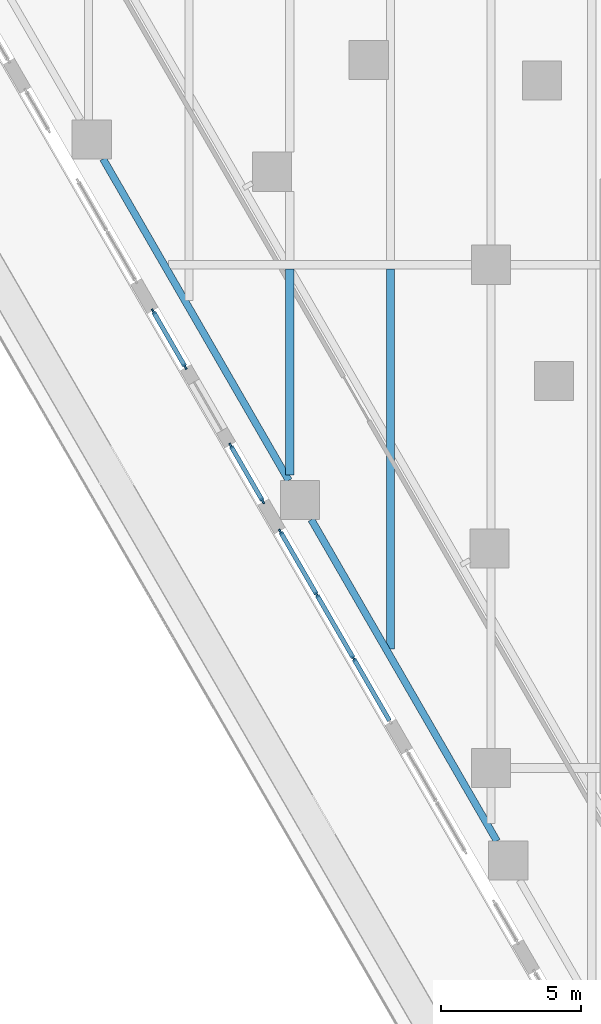
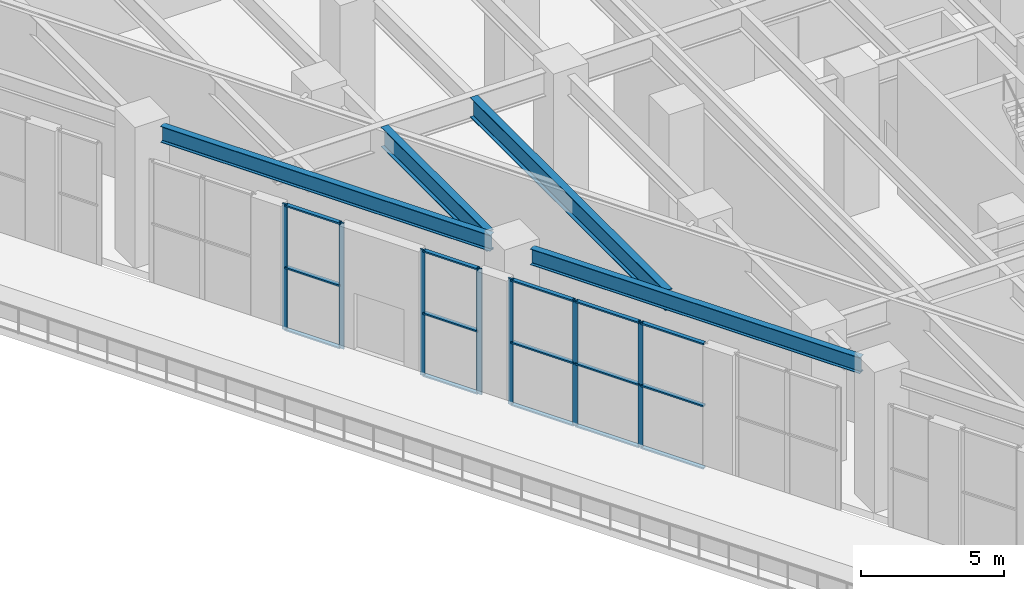
# One storey, part 4 of 40: 22 members, 4 beams, 3 elements without a shape of their own.
"""IFC4 building model written with IfcOpenShell, lengths in metres."""

import ifcopenshell
import ifcopenshell.guid

model = None  # the IFC model being written
_history = None  # IfcOwnerHistory: only IFC2X3 demands one
_inside = {}  # id of a spatial element -> (the spatial element, [elements in it])
_under = {}  # id of a project, library or spatial element -> (it, [spatial elements below it])
_declared = {}  # id of a project -> (the project, [libraries it declares])
_typed = {}  # id of a type object -> (the type object, [elements of that type])
_made_of = {}  # id of a material, layer set ... -> (it, [elements and type objects made of it])


def new_model(schema):
    """Start an empty IFC model of exactly this schema.

    Asked for "IFC4X3", IfcOpenShell would pick the latest addendum, in which some entities
    have other attributes; the version numbers below select the first issue.
    IFC2X3 requires an IfcOwnerHistory on every rooted entity: one is made here for all.
    """
    global model, _history
    if schema == "IFC4X3":
        model = ifcopenshell.file(schema_version=(4, 3, 0, 0))
    else:
        model = ifcopenshell.file(schema=schema)
    _inside.clear()
    _under.clear()
    _declared.clear()
    _typed.clear()
    _made_of.clear()
    _history = None
    if model.schema == "IFC2X3":
        org = make("IfcOrganization", Name="unknown")
        user = make(
            "IfcPersonAndOrganization",
            ThePerson=make("IfcPerson", FamilyName="unknown"),
            TheOrganization=org,
        )
        app = make(
            "IfcApplication",
            ApplicationDeveloper=org,
            Version="unknown",
            ApplicationFullName="unknown",
            ApplicationIdentifier="unknown",
        )
        _history = make(
            "IfcOwnerHistory",
            OwningUser=user,
            OwningApplication=app,
            ChangeAction="ADDED",
            CreationDate=0,
        )
    return model


def make(cls, **values):
    """One entity of the class cls with the attributes given. An attribute that is None is left unset."""
    return model.create_entity(
        cls, **{name: value for name, value in values.items() if value is not None}
    )


def rooted(cls, **values):
    """An entity with a GlobalId (a new one), such as an element, a storey or a relation."""
    return make(cls, GlobalId=ifcopenshell.guid.new(), OwnerHistory=_history, **values)


def si_unit(unit_type, name, prefix=None):
    """IfcSIUnit, for example si_unit("LENGTHUNIT", "METRE", prefix="MILLI")."""
    return make("IfcSIUnit", UnitType=unit_type, Prefix=prefix, Name=name)


def assignment(units):
    """IfcUnitAssignment: the units of a project."""
    return None if units is None else make("IfcUnitAssignment", Units=units)


def point(xyz):
    """IfcCartesianPoint."""
    return None if xyz is None else make("IfcCartesianPoint", Coordinates=xyz)


def direction(xyz):
    """IfcDirection."""
    return None if xyz is None else make("IfcDirection", DirectionRatios=xyz)


def frame(location, z_axis=None, x_axis=None):
    """IfcAxis2Placement3D, a coordinate frame: its origin and axes. An axis left out is left unset."""
    return make(
        "IfcAxis2Placement3D",
        Location=point(location),
        Axis=direction(z_axis),
        RefDirection=direction(x_axis),
    )


def frame_2d(location, x_axis=None):
    """IfcAxis2Placement2D, a coordinate frame in the plane: its origin and x axis."""
    return make(
        "IfcAxis2Placement2D", Location=point(location), RefDirection=direction(x_axis)
    )


def origin():
    """The frame at (0, 0, 0) with its axes left unset."""
    return frame((0.0, 0.0, 0.0))


def origin_2d():
    """The frame at (0, 0) in the plane with its x axis left unset."""
    return frame_2d((0.0, 0.0))


def place(relative_to, where):
    """IfcLocalPlacement: puts the frame where relative to a parent placement (None: the world)."""
    return make(
        "IfcLocalPlacement", PlacementRelTo=relative_to, RelativePlacement=where
    )


def context(
    kind, dimensions, precision=None, world=None, true_north=None, identifier=None
):
    """IfcGeometricRepresentationContext, for example the 3D "Model" context."""
    return make(
        "IfcGeometricRepresentationContext",
        ContextIdentifier=identifier,
        ContextType=kind,
        CoordinateSpaceDimension=dimensions,
        Precision=precision,
        WorldCoordinateSystem=world,
        TrueNorth=true_north,
    )


def subcontext(parent, identifier, kind, view, scale=None):
    """IfcGeometricRepresentationSubContext, for example "Body" below "Model"."""
    return make(
        "IfcGeometricRepresentationSubContext",
        ContextIdentifier=identifier,
        ContextType=kind,
        ParentContext=parent,
        TargetScale=scale,
        TargetView=view,
    )


def project(units=None, contexts=None):
    """IfcProject with its units and contexts."""
    return rooted(
        "IfcProject",
        Name="project",
        RepresentationContexts=contexts,
        UnitsInContext=assignment(units),
    )


def spatial(cls, under=None, at=None, **own):
    """A site, building, storey or space (cls), placed at a placement, below another one or the project."""
    s = rooted(cls, ObjectPlacement=at, **own)
    if under is not None:
        _under.setdefault(under.id(), (under, []))[1].append(s)
    return s


def profile(cls, at=None, kind="AREA", **sizes):
    """A parametric profile (cls). Its sizes go by their IFC names, for example OverallWidth=200.0."""
    return make(cls, ProfileType=kind, Position=at, **sizes)


def rectangle(**sizes):
    """IfcRectangleProfileDef."""
    return profile("IfcRectangleProfileDef", **sizes)


def i_section(**sizes):
    """IfcIShapeProfileDef."""
    return profile("IfcIShapeProfileDef", **sizes)


def extrude(swept, where, along, depth):
    """IfcExtrudedAreaSolid: the profile swept, set in the frame where, extruded along a direction by depth."""
    return make(
        "IfcExtrudedAreaSolid",
        SweptArea=swept,
        Position=where,
        ExtrudedDirection=direction(along),
        Depth=depth,
    )


def shape(context_of_items, identifier, shape_type, items):
    """IfcShapeRepresentation: the items that make up one representation, for example the "Body"."""
    return make(
        "IfcShapeRepresentation",
        ContextOfItems=context_of_items,
        RepresentationIdentifier=identifier,
        RepresentationType=shape_type,
        Items=items,
    )


def material(Name=None, Category=None):
    """IfcMaterial."""
    return make("IfcMaterial", Name=Name, Category=Category)


def material_profile(
    of_material, cross_section, Name=None, Category=None, Priority=None
):
    """IfcMaterialProfile: a cross section and its material."""
    return make(
        "IfcMaterialProfile",
        Name=Name,
        Material=of_material,
        Profile=cross_section,
        Priority=Priority,
        Category=Category,
    )


def profile_set(profiles, Name=None, composite=None):
    """IfcMaterialProfileSet."""
    return make(
        "IfcMaterialProfileSet",
        Name=Name,
        MaterialProfiles=profiles,
        CompositeProfile=composite,
    )


def made_of(thing, what):
    """Note that an element or type object is made of a material, layer set ...; save() writes the relation."""
    if what is not None:
        _made_of.setdefault(what.id(), (what, []))[1].append(thing)
    return thing


def type_object(cls, material=None, **own):
    """A type object (cls), such as IfcWallType, which elements share."""
    return made_of(rooted(cls, **own), material)


def element(
    cls,
    number,
    at=None,
    inside=None,
    cuts=None,
    type_object=None,
    material=None,
    context=None,
    identifier="Body",
    shape_type=None,
    held_by="IfcProductDefinitionShape",
    body=None,
    shapes=None,
    **own,
):
    """One element of the class cls, such as IfcWall. Its Tag is "e" and its number.

    at: its placement. inside: the storey or other place that contains it. cuts: it is an
    opening in that element (IfcRelVoidsElement). A single representation is given by context,
    identifier, shape_type and body (its items); several are given by shapes. held_by: the class
    of the entity that holds the representations. save() writes the other relations.
    """
    e = rooted(cls, Tag="e%d" % number, ObjectPlacement=at, **own)
    if body is not None:
        shapes = [shape(context, identifier, shape_type, body)]
    if shapes is not None:
        e.Representation = make(held_by, Representations=shapes)
    if inside is not None:
        _inside.setdefault(inside.id(), (inside, []))[1].append(e)
    if cuts is not None:
        rooted(
            "IfcRelVoidsElement", RelatingBuildingElement=cuts, RelatedOpeningElement=e
        )
    if type_object is not None:
        _typed.setdefault(type_object.id(), (type_object, []))[1].append(e)
    return made_of(e, material)


def aggregate(whole, parts):
    """IfcRelAggregates: a whole, such as a stair, and the parts it consists of."""
    return rooted("IfcRelAggregates", RelatingObject=whole, RelatedObjects=parts)


def save(model, path):
    """Write the relations noted so far, then the file.

    IfcRelAggregates (storeys below a building ...), IfcRelContainedInSpatialStructure (elements
    in a storey), IfcRelDefinesByType, IfcRelAssociatesMaterial and IfcRelDeclares: one each for
    every whole, place, type object, material and project.
    """
    for whole, parts in _under.values():
        aggregate(whole, parts)
    for where, things in _inside.values():
        rooted(
            "IfcRelContainedInSpatialStructure",
            RelatedElements=things,
            RelatingStructure=where,
        )
    for kind, things in _typed.values():
        rooted("IfcRelDefinesByType", RelatedObjects=things, RelatingType=kind)
    for what, things in _made_of.values():
        rooted("IfcRelAssociatesMaterial", RelatedObjects=things, RelatingMaterial=what)
    for by, libraries in _declared.values():
        rooted("IfcRelDeclares", RelatingContext=by, RelatedDefinitions=libraries)
    model.write(path)


model = new_model("IFC4")

# Units and contexts
model_context = context("Model", 3, precision=1e-05, world=origin(), true_north=direction((0.0, 1.0)))
body_context = subcontext(model_context, "Body", "Model", "MODEL_VIEW")
ifc_project = project(units=[si_unit("LENGTHUNIT", "METRE"), si_unit("AREAUNIT", "SQUARE_METRE"), si_unit("VOLUMEUNIT", "CUBIC_METRE"), si_unit("PLANEANGLEUNIT", "RADIAN"), si_unit("MASSUNIT", "GRAM", prefix="KILO")], contexts=[model_context])

# Site, building, storey
site_placement = place(None, origin())
site = spatial("IfcSite", under=ifc_project, at=site_placement, CompositionType="ELEMENT")
building_placement = place(site_placement, origin())
building = spatial("IfcBuilding", under=site, at=building_placement, Name="Aloe Facet Convention Tower", CompositionType="ELEMENT")
storey_placement = place(building_placement, frame((0.0, 0.0, 13.5)))
storey = spatial("IfcBuildingStorey", under=building, at=storey_placement, Name="L02", CompositionType="ELEMENT", Elevation=13.5)

# Curtain wall, members
ifc_material_1 = material(Name="Aluminium, anodised", Category="aluminium")
curtain_wall_type = type_object("IfcCurtainWallType", Name="EV-CW-HALL", PredefinedType="USERDEFINED", material=ifc_material_1)
curtain_wall_1_placement = place(storey_placement, origin())
curtain_wall_1 = element("IfcCurtainWall", 1, at=curtain_wall_1_placement, inside=storey, type_object=curtain_wall_type, Name="CW-L02-W10A", ObjectType="UNITISED HALL GLAZING", PredefinedType="USERDEFINED")
ifc_material_2 = material(Name="Aluminium, anodised", Category="aluminium")
ifc_material_profile_1 = material_profile(ifc_material_2, rectangle(XDim=0.06494140625, YDim=0.199951171875, at=origin_2d()), Name="AL 65x200")
ifc_profile_set_1 = profile_set([ifc_material_profile_1], Name="Aluminium, anodised")
member_type_1 = type_object("IfcMemberType", Name="EV-MULL-HALL", PredefinedType="MULLION", material=ifc_profile_set_1)
member_1_placement = place(storey_placement, frame((49.914794921875, 97.329833984375, -0.300048828125), z_axis=(0.0, 0.0, 1.0), x_axis=(0.866025403654, 0.500000000227, 0.0)))
member_1 = element("IfcMember", 2, at=member_1_placement, type_object=member_type_1, Name="CW-L02-W10A mullion 1", PredefinedType="MULLION", context=body_context, shape_type="SweptSolid", body=[
    extrude(rectangle(XDim=0.06494140625, YDim=0.199951171875, at=origin_2d()), origin(), (0.0, 0.0, 1.0), 5.362548828125),
])
member_2_placement = place(storey_placement, frame((51.056884765625, 95.3515625, -0.300048828125), z_axis=(0.0, 0.0, 1.0), x_axis=(0.866025403654, 0.500000000227, 0.0)))
member_2 = element("IfcMember", 3, at=member_2_placement, type_object=member_type_1, Name="CW-L02-W10A mullion 2", PredefinedType="MULLION", context=body_context, shape_type="SweptSolid", body=[
    extrude(rectangle(XDim=0.06494140625, YDim=0.199951171875, at=origin_2d()), origin(), (0.0, 0.0, 1.0), 5.362548828125),
])

curtain_wall_2_placement = place(storey_placement, origin())
curtain_wall_2 = element("IfcCurtainWall", 4, at=curtain_wall_2_placement, inside=storey, type_object=curtain_wall_type, Name="CW-L02-W10B", ObjectType="UNITISED HALL GLAZING", PredefinedType="USERDEFINED")
member_3_placement = place(storey_placement, frame((52.689453125, 92.52392578125, -0.300048828125), z_axis=(0.0, 0.0, 1.0), x_axis=(0.866025403837, 0.499999999909, 0.0)))
member_3 = element("IfcMember", 5, at=member_3_placement, type_object=member_type_1, Name="CW-L02-W10B mullion 1", PredefinedType="MULLION", context=body_context, shape_type="SweptSolid", body=[
    extrude(rectangle(XDim=0.06494140625, YDim=0.199951171875, at=origin_2d()), origin(), (0.0, 0.0, 1.0), 5.362548828125),
])
member_4_placement = place(storey_placement, frame((53.83154296875, 90.54541015625, -0.300048828125), z_axis=(0.0, 0.0, 1.0), x_axis=(0.866025403837, 0.499999999909, 0.0)))
member_4 = element("IfcMember", 6, at=member_4_placement, type_object=member_type_1, Name="CW-L02-W10B mullion 2", PredefinedType="MULLION", context=body_context, shape_type="SweptSolid", body=[
    extrude(rectangle(XDim=0.06494140625, YDim=0.199951171875, at=origin_2d()), origin(), (0.0, 0.0, 1.0), 5.362548828125),
])

curtain_wall_3_placement = place(storey_placement, origin())
curtain_wall_3 = element("IfcCurtainWall", 7, at=curtain_wall_3_placement, inside=storey, type_object=curtain_wall_type, Name="CW-L02-W12", ObjectType="UNITISED HALL GLAZING", PredefinedType="USERDEFINED")
member_5_placement = place(storey_placement, frame((54.464111328125, 89.449951171875, -0.300048828125), z_axis=(0.0, 0.0, 1.0), x_axis=(0.866025403758, 0.500000000045, 0.0)))
member_5 = element("IfcMember", 8, at=member_5_placement, type_object=member_type_1, Name="CW-L02-W12 mullion 1", PredefinedType="MULLION", context=body_context, shape_type="SweptSolid", body=[
    extrude(rectangle(XDim=0.06494140625, YDim=0.199951171875, at=origin_2d()), origin(), (0.0, 0.0, 1.0), 5.362548828125),
])
member_6_placement = place(storey_placement, frame((55.764404296875, 87.197998046875, -0.300048828125), z_axis=(0.0, 0.0, 1.0), x_axis=(0.866025403758, 0.500000000045, 0.0)))
member_6 = element("IfcMember", 9, at=member_6_placement, type_object=member_type_1, Name="CW-L02-W12 mullion 2", PredefinedType="MULLION", context=body_context, shape_type="SweptSolid", body=[
    extrude(rectangle(XDim=0.06494140625, YDim=0.199951171875, at=origin_2d()), origin(), (0.0, 0.0, 1.0), 5.362548828125),
])
member_7_placement = place(storey_placement, frame((57.080810546875, 84.917724609375, -0.300048828125), z_axis=(0.0, 0.0, 1.0), x_axis=(0.866025403758, 0.500000000045, 0.0)))
member_7 = element("IfcMember", 10, at=member_7_placement, type_object=member_type_1, Name="CW-L02-W12 mullion 3", PredefinedType="MULLION", context=body_context, shape_type="SweptSolid", body=[
    extrude(rectangle(XDim=0.06494140625, YDim=0.199951171875, at=origin_2d()), origin(), (0.0, 0.0, 1.0), 5.362548828125),
])

# Member
ifc_material_3 = material(Name="Aluminium, anodised", Category="aluminium")
ifc_material_profile_2 = material_profile(ifc_material_3, rectangle(XDim=0.159912109375, YDim=0.06494140625, at=origin_2d()), Name="AL 160x65")
ifc_profile_set_2 = profile_set([ifc_material_profile_2], Name="Aluminium, anodised")
member_type_2 = type_object("IfcMemberType", Name="EV-TRAN-HALL", PredefinedType="USERDEFINED", material=ifc_profile_set_2)
member_8_placement = place(storey_placement, frame((49.930908203125, 97.3017578125, -0.267578125), z_axis=(0.500043007702, -0.866000571852, 0.0), x_axis=(0.866000571852, 0.500043007702, 0.0)))
member_8 = element("IfcMember", 11, at=member_8_placement, type_object=member_type_2, Name="CW-L02-W10A transom 1.1", ObjectType="TRANSOM", PredefinedType="USERDEFINED", context=body_context, shape_type="SweptSolid", body=[
    extrude(rectangle(XDim=0.159912109375, YDim=0.06494140625, at=origin_2d()), origin(), (0.0, 0.0, 1.0), 2.219482421875),
])

member_9_placement = place(storey_placement, frame((49.930908203125, 97.3017578125, 2.38134765625), z_axis=(0.500043007702, -0.866000571852, 0.0), x_axis=(0.866000571852, 0.500043007702, 0.0)))
member_9 = element("IfcMember", 12, at=member_9_placement, type_object=member_type_2, Name="CW-L02-W10A transom 1.2", ObjectType="TRANSOM", PredefinedType="USERDEFINED", context=body_context, shape_type="SweptSolid", body=[
    extrude(rectangle(XDim=0.159912109375, YDim=0.06494140625, at=origin_2d()), origin(), (0.0, 0.0, 1.0), 2.219482421875),
])

member_10_placement = place(storey_placement, frame((49.930908203125, 97.3017578125, 5.030029296875), z_axis=(0.500043007702, -0.866000571852, 0.0), x_axis=(0.866000571852, 0.500043007702, 0.0)))
member_10 = element("IfcMember", 13, at=member_10_placement, type_object=member_type_2, Name="CW-L02-W10A transom 1.3", ObjectType="TRANSOM", PredefinedType="USERDEFINED", context=body_context, shape_type="SweptSolid", body=[
    extrude(rectangle(XDim=0.159912109375, YDim=0.06494140625, at=origin_2d()), origin(), (0.0, 0.0, 1.0), 2.219482421875),
])

aggregate(curtain_wall_1, [member_1, member_2, member_8, member_9, member_10])

member_11_placement = place(storey_placement, frame((52.70556640625, 92.495849609375, -0.267578125), z_axis=(0.500043007702, -0.866000571852, 0.0), x_axis=(0.866000571852, 0.500043007702, 0.0)))
member_11 = element("IfcMember", 14, at=member_11_placement, type_object=member_type_2, Name="CW-L02-W10B transom 1.1", ObjectType="TRANSOM", PredefinedType="USERDEFINED", context=body_context, shape_type="SweptSolid", body=[
    extrude(rectangle(XDim=0.159912109375, YDim=0.06494140625, at=origin_2d()), origin(), (0.0, 0.0, 1.0), 2.219482421875),
])

member_12_placement = place(storey_placement, frame((52.70556640625, 92.495849609375, 2.38134765625), z_axis=(0.500043007702, -0.866000571852, 0.0), x_axis=(0.866000571852, 0.500043007702, 0.0)))
member_12 = element("IfcMember", 15, at=member_12_placement, type_object=member_type_2, Name="CW-L02-W10B transom 1.2", ObjectType="TRANSOM", PredefinedType="USERDEFINED", context=body_context, shape_type="SweptSolid", body=[
    extrude(rectangle(XDim=0.159912109375, YDim=0.06494140625, at=origin_2d()), origin(), (0.0, 0.0, 1.0), 2.219482421875),
])

member_13_placement = place(storey_placement, frame((52.70556640625, 92.495849609375, 5.030029296875), z_axis=(0.500043007702, -0.866000571852, 0.0), x_axis=(0.866000571852, 0.500043007702, 0.0)))
member_13 = element("IfcMember", 16, at=member_13_placement, type_object=member_type_2, Name="CW-L02-W10B transom 1.3", ObjectType="TRANSOM", PredefinedType="USERDEFINED", context=body_context, shape_type="SweptSolid", body=[
    extrude(rectangle(XDim=0.159912109375, YDim=0.06494140625, at=origin_2d()), origin(), (0.0, 0.0, 1.0), 2.219482421875),
])

aggregate(curtain_wall_2, [member_3, member_4, member_11, member_12, member_13])

member_14_placement = place(storey_placement, frame((54.48046875, 89.421875, -0.267578125), z_axis=(0.499950289094, -0.866054102487, 0.0), x_axis=(0.866054102487, 0.499950289094, 0.0)))
member_14 = element("IfcMember", 17, at=member_14_placement, type_object=member_type_2, Name="CW-L02-W12 transom 1.1", ObjectType="TRANSOM", PredefinedType="USERDEFINED", context=body_context, shape_type="SweptSolid", body=[
    extrude(rectangle(XDim=0.159912109375, YDim=0.06494140625, at=origin_2d()), origin(), (0.0, 0.0, 1.0), 2.535400390625),
])

member_15_placement = place(storey_placement, frame((54.48046875, 89.421875, 2.38134765625), z_axis=(0.499950289094, -0.866054102487, 0.0), x_axis=(0.866054102487, 0.499950289094, 0.0)))
member_15 = element("IfcMember", 18, at=member_15_placement, type_object=member_type_2, Name="CW-L02-W12 transom 1.2", ObjectType="TRANSOM", PredefinedType="USERDEFINED", context=body_context, shape_type="SweptSolid", body=[
    extrude(rectangle(XDim=0.159912109375, YDim=0.06494140625, at=origin_2d()), origin(), (0.0, 0.0, 1.0), 2.535400390625),
])

member_16_placement = place(storey_placement, frame((54.48046875, 89.421875, 5.030029296875), z_axis=(0.499950289094, -0.866054102487, 0.0), x_axis=(0.866054102487, 0.499950289094, 0.0)))
member_16 = element("IfcMember", 19, at=member_16_placement, type_object=member_type_2, Name="CW-L02-W12 transom 1.3", ObjectType="TRANSOM", PredefinedType="USERDEFINED", context=body_context, shape_type="SweptSolid", body=[
    extrude(rectangle(XDim=0.159912109375, YDim=0.06494140625, at=origin_2d()), origin(), (0.0, 0.0, 1.0), 2.535400390625),
])

member_17_placement = place(storey_placement, frame((55.780517578125, 87.169921875, -0.267578125), z_axis=(0.499952873616, -0.866052610505, 0.0), x_axis=(0.866052610505, 0.499952873616, 0.0)))
member_17 = element("IfcMember", 20, at=member_17_placement, type_object=member_type_2, Name="CW-L02-W12 transom 2.1", ObjectType="TRANSOM", PredefinedType="USERDEFINED", context=body_context, shape_type="SweptSolid", body=[
    extrude(rectangle(XDim=0.159912109375, YDim=0.06494140625, at=origin_2d()), origin(), (0.0, 0.0, 1.0), 2.568115234375),
])

member_18_placement = place(storey_placement, frame((55.780517578125, 87.169921875, 2.38134765625), z_axis=(0.499952873616, -0.866052610505, 0.0), x_axis=(0.866052610505, 0.499952873616, 0.0)))
member_18 = element("IfcMember", 21, at=member_18_placement, type_object=member_type_2, Name="CW-L02-W12 transom 2.2", ObjectType="TRANSOM", PredefinedType="USERDEFINED", context=body_context, shape_type="SweptSolid", body=[
    extrude(rectangle(XDim=0.159912109375, YDim=0.06494140625, at=origin_2d()), origin(), (0.0, 0.0, 1.0), 2.568115234375),
])

member_19_placement = place(storey_placement, frame((55.780517578125, 87.169921875, 5.030029296875), z_axis=(0.499952873616, -0.866052610505, 0.0), x_axis=(0.866052610505, 0.499952873616, 0.0)))
member_19 = element("IfcMember", 22, at=member_19_placement, type_object=member_type_2, Name="CW-L02-W12 transom 2.3", ObjectType="TRANSOM", PredefinedType="USERDEFINED", context=body_context, shape_type="SweptSolid", body=[
    extrude(rectangle(XDim=0.159912109375, YDim=0.06494140625, at=origin_2d()), origin(), (0.0, 0.0, 1.0), 2.568115234375),
])

member_20_placement = place(storey_placement, frame((57.096923828125, 84.8896484375, -0.267578125), z_axis=(0.500022507987, -0.866012408402, 0.0), x_axis=(0.866012408402, 0.500022507987, 0.0)))
member_20 = element("IfcMember", 23, at=member_20_placement, type_object=member_type_2, Name="CW-L02-W12 transom 3.1", ObjectType="TRANSOM", PredefinedType="USERDEFINED", context=body_context, shape_type="SweptSolid", body=[
    extrude(rectangle(XDim=0.159912109375, YDim=0.06494140625, at=origin_2d()), origin(), (0.0, 0.0, 1.0), 2.53564453125),
])

member_21_placement = place(storey_placement, frame((57.096923828125, 84.8896484375, 2.38134765625), z_axis=(0.500022507987, -0.866012408402, 0.0), x_axis=(0.866012408402, 0.500022507987, 0.0)))
member_21 = element("IfcMember", 24, at=member_21_placement, type_object=member_type_2, Name="CW-L02-W12 transom 3.2", ObjectType="TRANSOM", PredefinedType="USERDEFINED", context=body_context, shape_type="SweptSolid", body=[
    extrude(rectangle(XDim=0.159912109375, YDim=0.06494140625, at=origin_2d()), origin(), (0.0, 0.0, 1.0), 2.53564453125),
])

member_22_placement = place(storey_placement, frame((57.096923828125, 84.8896484375, 5.030029296875), z_axis=(0.500022507987, -0.866012408402, 0.0), x_axis=(0.866012408402, 0.500022507987, 0.0)))
member_22 = element("IfcMember", 25, at=member_22_placement, type_object=member_type_2, Name="CW-L02-W12 transom 3.3", ObjectType="TRANSOM", PredefinedType="USERDEFINED", context=body_context, shape_type="SweptSolid", body=[
    extrude(rectangle(XDim=0.159912109375, YDim=0.06494140625, at=origin_2d()), origin(), (0.0, 0.0, 1.0), 2.53564453125),
])

aggregate(curtain_wall_3, [member_5, member_6, member_7, member_14, member_15, member_16, member_17, member_18, member_19, member_20, member_21, member_22])

# Beams
ifc_material_4 = material(Name="Steel S355", Category="steel")
ifc_material_profile_3 = material_profile(ifc_material_4, i_section(OverallWidth=0.25439453125, OverallDepth=0.6875, WebThickness=0.01318359375, FlangeThickness=0.02099609375, FilletRadius=0.01513671875, at=origin_2d()), Name="UB 686x254x152")
ifc_profile_set_3 = profile_set([ifc_material_profile_3], Name="Steel S355")
beam_type_1 = type_object("IfcBeamType", Name="SF-B-UB686x254x152", PredefinedType="BEAM", material=ifc_profile_set_3)
beam_1_placement = place(storey_placement, frame((54.761474609375, 91.284912109375, 5.40625), z_axis=(-0.50000679685, 0.866021479586, 0.0), x_axis=(-0.866021479586, -0.50000679685, 0.0)))
element("IfcBeam", 26, at=beam_1_placement, inside=storey, type_object=beam_type_1, Name="Floor beam FB-L03-009", PredefinedType="BEAM", context=body_context, shape_type="SweptSolid", body=[
    extrude(i_section(OverallWidth=0.25439453125, OverallDepth=0.6875, WebThickness=0.01318359375, FlangeThickness=0.02099609375, FilletRadius=0.01513671875, at=origin_2d()), origin(), (0.0, 0.0, 1.0), 13.279052734375),
])
beam_2_placement = place(storey_placement, frame((62.208740234375, 78.385986328125, 5.40625), z_axis=(-0.500011064058, 0.866019015853, 0.0), x_axis=(-0.866019015853, -0.500011064058, 0.0)))
element("IfcBeam", 27, at=beam_2_placement, inside=storey, type_object=beam_type_1, Name="Floor beam FB-L03-010", PredefinedType="BEAM", context=body_context, shape_type="SweptSolid", body=[
    extrude(i_section(OverallWidth=0.25439453125, OverallDepth=0.6875, WebThickness=0.01318359375, FlangeThickness=0.02099609375, FilletRadius=0.01513671875, at=origin_2d()), origin(), (0.0, 0.0, 1.0), 13.278076171875),
])
ifc_material_5 = material(Name="Steel S355", Category="steel")
ifc_material_profile_4 = material_profile(ifc_material_5, i_section(OverallWidth=0.293701171875, OverallDepth=0.850830078125, WebThickness=0.01611328125, FlangeThickness=0.02685546875, FilletRadius=0.017822265625, at=origin_2d()), Name="UB 838x292x226")
ifc_profile_set_4 = profile_set([ifc_material_profile_4], Name="Steel S355")
beam_type_2 = type_object("IfcBeamType", Name="SF-B-UB838x292x226", PredefinedType="BEAM", material=ifc_profile_set_4)
beam_3_placement = place(storey_placement, frame((54.800048828125, 91.482666015625, 5.324462890625), z_axis=(0.0, 1.0, 0.0), x_axis=(-1.0, 0.0, 0.0)))
element("IfcBeam", 28, at=beam_3_placement, inside=storey, type_object=beam_type_2, Name="Floor beam FB-L03-050", PredefinedType="BEAM", context=body_context, shape_type="SweptSolid", body=[
    extrude(i_section(OverallWidth=0.293701171875, OverallDepth=0.850830078125, WebThickness=0.01611328125, FlangeThickness=0.02685546875, FilletRadius=0.017822265625, at=origin_2d()), origin(), (0.0, 0.0, 1.0), 7.36474609375),
])
beam_4_placement = place(storey_placement, frame((58.39990234375, 85.247314453125, 5.324462890625), z_axis=(0.0, 1.0, 0.0), x_axis=(-1.0, 0.0, 0.0)))
element("IfcBeam", 29, at=beam_4_placement, inside=storey, type_object=beam_type_2, Name="Floor beam FB-L03-055", PredefinedType="BEAM", context=body_context, shape_type="SweptSolid", body=[
    extrude(i_section(OverallWidth=0.293701171875, OverallDepth=0.850830078125, WebThickness=0.01611328125, FlangeThickness=0.02685546875, FilletRadius=0.017822265625, at=origin_2d()), origin(), (0.0, 0.0, 1.0), 13.60009765625),
])

save(model, "model.ifc")
